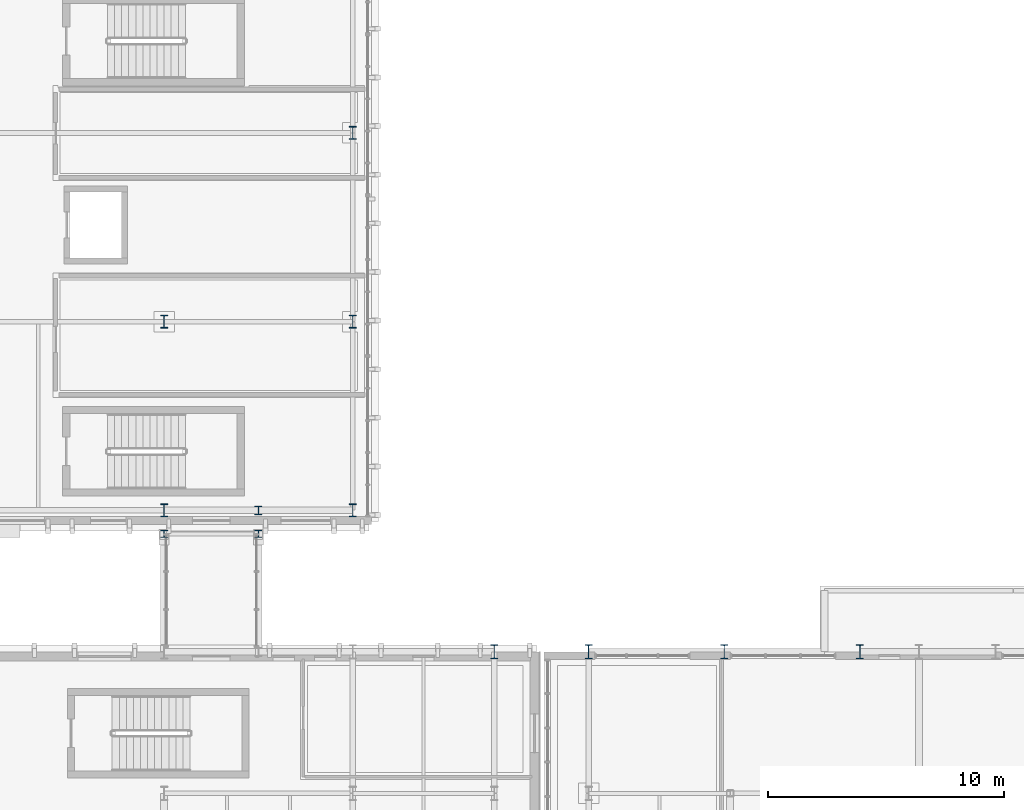
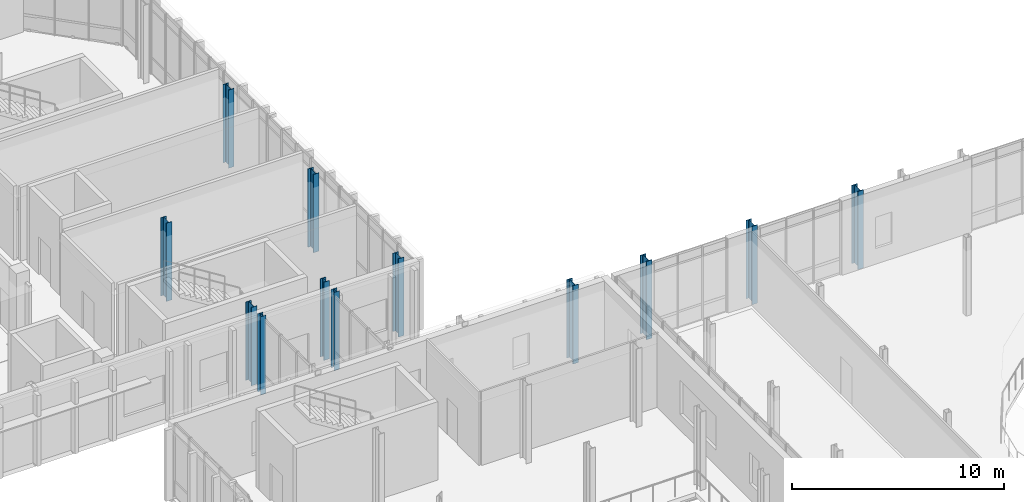
# One storey, part 4 of 100: 12 columns.
"""IFC4 building model written with IfcOpenShell, lengths in metres."""

from ifc_helpers import new_model, si_unit, direction, frame, origin, origin_2d, place, context, subcontext, project, spatial, i_section, extrude, material, material_profile, profile_set, type_object, element, save


model = new_model("IFC4")

# Units and contexts
model_context = context("Model", 3, precision=1e-05, world=origin(), true_north=direction((0.0, 1.0)))
body_context = subcontext(model_context, "Body", "Model", "MODEL_VIEW")
ifc_project = project(units=[si_unit("LENGTHUNIT", "METRE"), si_unit("AREAUNIT", "SQUARE_METRE"), si_unit("VOLUMEUNIT", "CUBIC_METRE"), si_unit("PLANEANGLEUNIT", "RADIAN"), si_unit("MASSUNIT", "GRAM", prefix="KILO")], contexts=[model_context])

# Site, building, storey
site_placement = place(None, origin())
site = spatial("IfcSite", under=ifc_project, at=site_placement, CompositionType="ELEMENT")
building_placement = place(site_placement, origin())
building = spatial("IfcBuilding", under=site, at=building_placement, Name="Cymarion Research Institute", CompositionType="ELEMENT")
storey_placement = place(building_placement, frame((0.0, 0.0, 4.800048828125)))
storey = spatial("IfcBuildingStorey", under=building, at=storey_placement, Name="L01", CompositionType="ELEMENT", Elevation=4.800048828125)

# Columns
ifc_material = material(Name="Steel S355", Category="steel")
ifc_material_profile_1 = material_profile(ifc_material, i_section(OverallWidth=0.300048828125, OverallDepth=0.60009765625, WebThickness=0.015380859375, FlangeThickness=0.030029296875, FilletRadius=0.027099609375, at=origin_2d()), Name="HEB 600")
ifc_profile_set_1 = profile_set([ifc_material_profile_1], Name="Steel S355")
column_type_1 = type_object("IfcColumnType", Name="STRUCTURAL COLUMN C02 HEB 600", PredefinedType="COLUMN", material=ifc_profile_set_1)
for number, where, z_axis, x_axis, name in (
    (1, (52.60009765625, 41.5, 0.0), (0.0, 0.0, 1.0), (1.0, 0.0, 0.0), "L01 V3 column C02 #556"),
    (2, (56.60009765625, 41.5, 0.0), (0.0, 0.0, 1.0), (1.0, 0.0, 0.0), "L01 V2 column C02 #563"),
    (3, (62.35009765625, 41.5, 0.0), (0.0, 0.0, 1.0), (1.0, 0.0, 0.0), "L01 V2 column C02 #565"),
    (4, (68.10009765625, 41.5, 0.0), (0.0, 0.0, 1.0), (1.0, 0.0, 0.0), "L01 V2 column C02 #573"),
):
    element("IfcColumn", number, at=place(storey_placement, frame(where, z_axis=z_axis, x_axis=x_axis)), inside=storey, type_object=column_type_1, Name=name, PredefinedType="COLUMN", context=body_context, shape_type="SweptSolid", body=[
        extrude(i_section(OverallWidth=0.300048828125, OverallDepth=0.60009765625, WebThickness=0.015380859375, FlangeThickness=0.030029296875, FilletRadius=0.027099609375, at=origin_2d()), origin(), (0.0, 0.0, 1.0), 4.5),
    ])
ifc_material_profile_2 = material_profile(ifc_material, i_section(OverallWidth=0.300048828125, OverallDepth=0.550048828125, WebThickness=0.014892578125, FlangeThickness=0.029052734375, FilletRadius=0.027099609375, at=origin_2d()), Name="HEB 550")
ifc_profile_set_2 = profile_set([ifc_material_profile_2], Name="Steel S355")
column_type_2 = type_object("IfcColumnType", Name="STRUCTURAL COLUMN C03 HEB 550", PredefinedType="COLUMN", material=ifc_profile_set_2)
for number, where, z_axis, x_axis, name in (
    (5, (38.60009765625, 47.5, 0.0), (0.0, 0.0, 1.0), (1.0, 0.0, 0.0), "L01 V4 column C03 #522"),
    (6, (38.60009765625, 55.5, 0.0), (0.0, 0.0, 1.0), (1.0, 0.0, 0.0), "L01 V4 column C03 #523"),
    (7, (46.60009765625, 47.5, 0.0), (0.0, 0.0, 1.0), (1.0, 0.0, 0.0), "L01 V4 column C03 #541"),
    (8, (46.60009765625, 55.5, 0.0), (0.0, 0.0, 1.0), (1.0, 0.0, 0.0), "L01 V4 column C03 #542"),
    (9, (46.60009765625, 63.5, 0.0), (0.0, 0.0, 1.0), (1.0, 0.0, 0.0), "L01 V4 column C03 #543"),
):
    element("IfcColumn", number, at=place(storey_placement, frame(where, z_axis=z_axis, x_axis=x_axis)), inside=storey, type_object=column_type_2, Name=name, PredefinedType="COLUMN", context=body_context, shape_type="SweptSolid", body=[
        extrude(i_section(OverallWidth=0.300048828125, OverallDepth=0.550048828125, WebThickness=0.014892578125, FlangeThickness=0.029052734375, FilletRadius=0.027099609375, at=origin_2d()), origin(), (0.0, 0.0, 1.0), 4.5),
    ])
ifc_material_profile_3 = material_profile(ifc_material, i_section(OverallWidth=0.300048828125, OverallDepth=0.360107421875, WebThickness=0.012451171875, FlangeThickness=0.0224609375, FilletRadius=0.027099609375, at=origin_2d()), Name="HEB 360")
ifc_profile_set_3 = profile_set([ifc_material_profile_3], Name="Steel S355")
column_type_3 = type_object("IfcColumnType", Name="STRUCTURAL COLUMN C07 HEB 360", PredefinedType="COLUMN", material=ifc_profile_set_3)
column_placement = place(storey_placement, frame((42.60009765625, 47.5, 0.0), z_axis=(0.0, 0.0, 1.0), x_axis=(1.0, 0.0, 0.0)))
element("IfcColumn", 10, at=column_placement, inside=storey, type_object=column_type_3, Name="L01 V4 column C07 #535", PredefinedType="COLUMN", context=body_context, shape_type="SweptSolid", body=[
    extrude(i_section(OverallWidth=0.300048828125, OverallDepth=0.360107421875, WebThickness=0.012451171875, FlangeThickness=0.0224609375, FilletRadius=0.027099609375, at=origin_2d()), origin(), (0.0, 0.0, 1.0), 4.5),
])
ifc_material_profile_4 = material_profile(ifc_material, i_section(OverallWidth=0.300048828125, OverallDepth=0.300048828125, WebThickness=0.010986328125, FlangeThickness=0.01904296875, FilletRadius=0.027099609375, at=origin_2d()), Name="HEB 300")
ifc_profile_set_4 = profile_set([ifc_material_profile_4], Name="Steel S355")
column_type_4 = type_object("IfcColumnType", Name="STRUCTURAL COLUMN C08 HEB 300", PredefinedType="COLUMN", material=ifc_profile_set_4)
for number, where, z_axis, x_axis, name in (
    (11, (38.60009765625, 46.5, 0.0), (0.0, 0.0, 1.0), (1.0, 0.0, 0.0), "L01 V3 column C08 #521"),
    (12, (42.60009765625, 46.5, 0.0), (0.0, 0.0, 1.0), (1.0, 0.0, 0.0), "L01 V3 column C08 #534"),
):
    element("IfcColumn", number, at=place(storey_placement, frame(where, z_axis=z_axis, x_axis=x_axis)), inside=storey, type_object=column_type_4, Name=name, PredefinedType="COLUMN", context=body_context, shape_type="SweptSolid", body=[
        extrude(i_section(OverallWidth=0.300048828125, OverallDepth=0.300048828125, WebThickness=0.010986328125, FlangeThickness=0.01904296875, FilletRadius=0.027099609375, at=origin_2d()), origin(), (0.0, 0.0, 1.0), 4.5),
    ])

save(model, "model.ifc")
